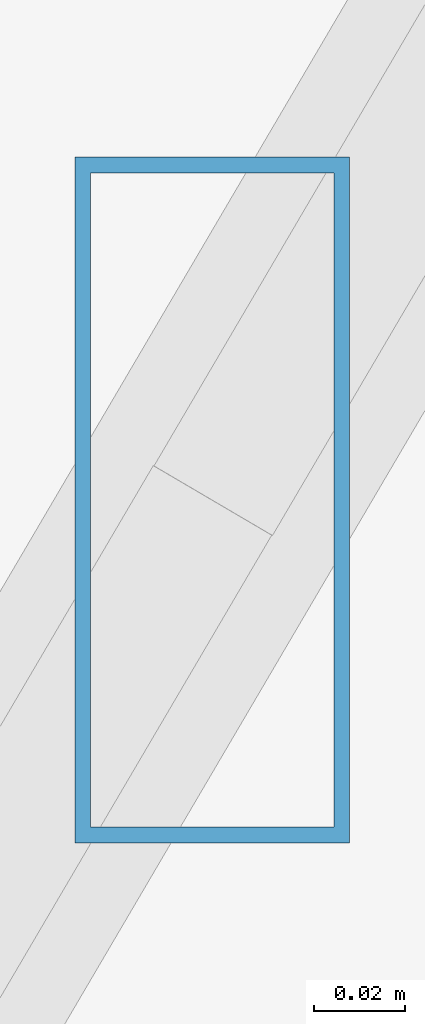
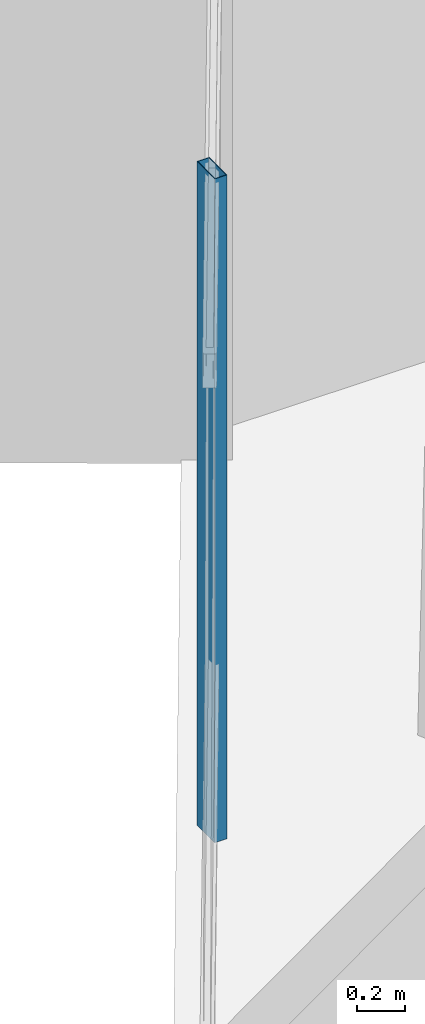
# One storey, part 8 of 42: 1 member, 1 element without a shape of its own.
"""IFC4 building model written with IfcOpenShell, lengths in metres."""

from ifc_helpers import new_model, si_unit, direction, frame, origin, origin_2d, place, context, subcontext, project, spatial, hollow_rectangle, extrude, source, transform, mapped, material, material_profile, profile_set, type_object, type_shapes, element, aggregate, save


model = new_model("IFC4")

# Units and contexts
model_context = context("Model", 3, precision=1e-05, world=origin(), true_north=direction((0.0, 1.0)))
body_context = subcontext(model_context, "Body", "Model", "MODEL_VIEW")
ifc_project = project(units=[si_unit("LENGTHUNIT", "METRE"), si_unit("AREAUNIT", "SQUARE_METRE"), si_unit("VOLUMEUNIT", "CUBIC_METRE"), si_unit("PLANEANGLEUNIT", "RADIAN"), si_unit("MASSUNIT", "GRAM", prefix="KILO")], contexts=[model_context])

# Site, building, storey
site_placement = place(None, origin())
site = spatial("IfcSite", under=ifc_project, at=site_placement, CompositionType="ELEMENT")
building_placement = place(site_placement, origin())
building = spatial("IfcBuilding", under=site, at=building_placement, Name="Caelisora Broadcast Tower", CompositionType="ELEMENT")
storey_placement = place(building_placement, frame((0.0, 0.0, 195.0)))
storey = spatial("IfcBuildingStorey", under=building, at=storey_placement, Name="L51", CompositionType="ELEMENT", Elevation=195.0)

# Curtain wall, member
ifc_material_1 = material(Name="Unitised Aluminium and Low-E Glass Curtain Wall", Category="glass")
curtain_wall_type = type_object("IfcCurtainWallType", Name="CW-Z4", PredefinedType="NOTDEFINED", material=ifc_material_1)
curtain_wall_placement = place(storey_placement, origin())
curtain_wall = element("IfcCurtainWall", 1, at=curtain_wall_placement, inside=storey, type_object=curtain_wall_type, Name="L51 curtain wall CW-Z4", PredefinedType="NOTDEFINED")
ifc_material_2 = material(Name="Aluminium 6063-T6 Anodised Terracotta Bronze", Category="aluminium")
ifc_material_profile = material_profile(ifc_material_2, hollow_rectangle(XDim=0.06005859375, YDim=0.14990234375, WallThickness=0.00341796875, at=origin_2d()), Name="Aluminium 6063-T6 Anodised Terracotta Bronze")
ifc_profile_set = profile_set([ifc_material_profile], Name="Aluminium 6063-T6 Anodised Terracotta Bronze")
member_type = type_object("IfcMemberType", Name="CWM-03", PredefinedType="MULLION", material=ifc_profile_set)
shared_shape = source(origin(), body_context, "Body", "SweptSolid", [
    extrude(hollow_rectangle(XDim=0.06005859375, YDim=0.14990234375, WallThickness=0.00341796875, at=origin_2d()), origin(), (0.0, 0.0, 1.0), 3.39990234375),
])
type_shapes(member_type, [shared_shape])
member_placement = place(storey_placement, frame((14.17138671875, 17.333251953125, 0.0), z_axis=(0.0, 0.0, 1.0), x_axis=(1.0, 0.0, 0.0)))
member = element("IfcMember", 2, at=member_placement, type_object=member_type, Name="L51-CW-B09 mullion #1", PredefinedType="MULLION", context=body_context, shape_type="MappedRepresentation", body=[
    mapped(shared_shape, transform((0.0, 0.0, 0.0), scale=1.0)),
])
aggregate(curtain_wall, [member])

save(model, "model.ifc")
